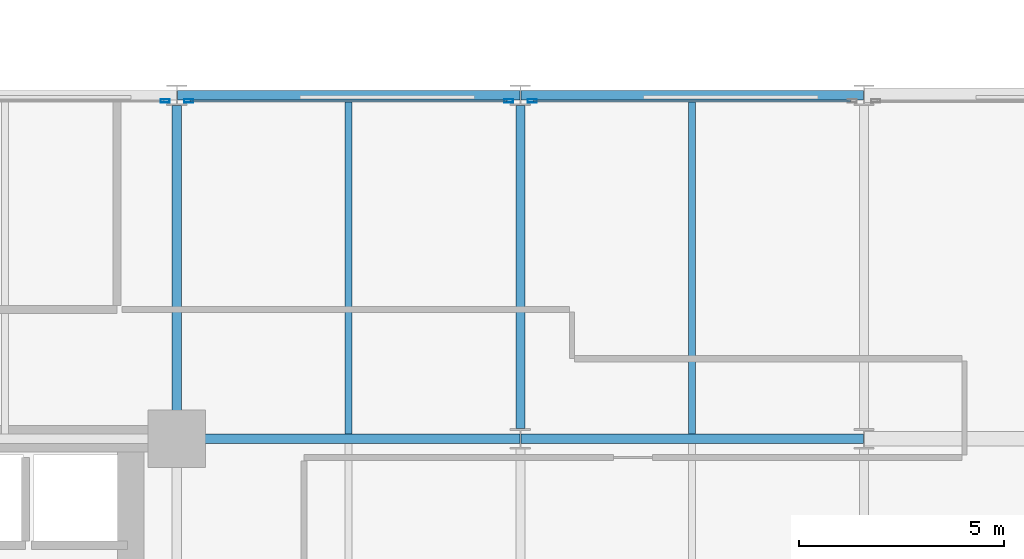
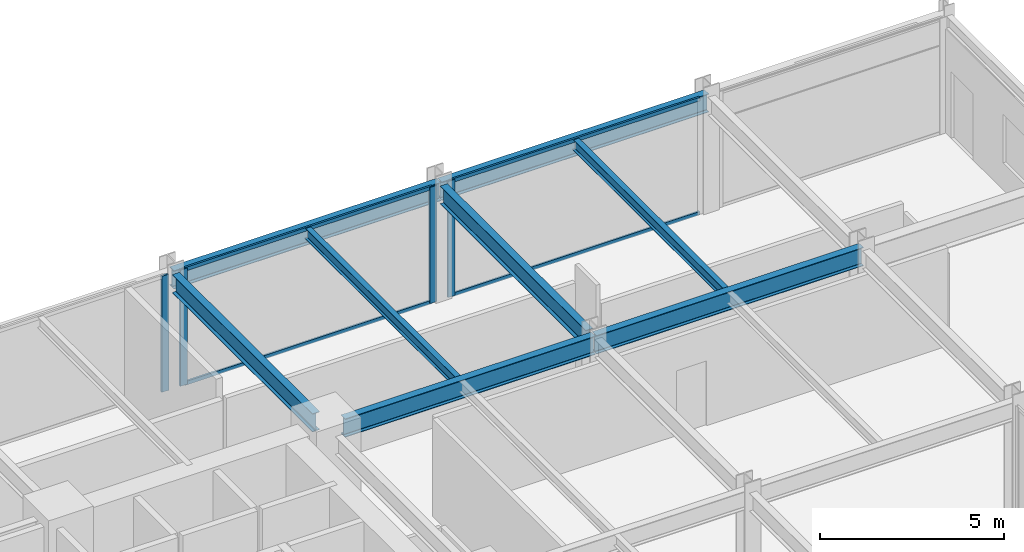
# One storey, part 14 of 26: 8 beams, 8 members, 3 elements without a shape of their own.
"""IFC4 building model written with IfcOpenShell, lengths in metres."""

from ifc_helpers import new_model, si_unit, direction, frame, origin, origin_2d, place, context, subcontext, project, spatial, hollow_rectangle, i_section, extrude, material, layer, layer_set, material_profile, profile_set, type_object, element, aggregate, save


model = new_model("IFC4")

# Units and contexts
model_context = context("Model", 3, precision=1e-05, world=origin(), true_north=direction((0.0, 1.0)))
body_context = subcontext(model_context, "Body", "Model", "MODEL_VIEW")
ifc_project = project(units=[si_unit("LENGTHUNIT", "METRE"), si_unit("AREAUNIT", "SQUARE_METRE"), si_unit("VOLUMEUNIT", "CUBIC_METRE"), si_unit("PLANEANGLEUNIT", "RADIAN"), si_unit("MASSUNIT", "GRAM", prefix="KILO")], contexts=[model_context])

# Site, building, storey
site_placement = place(None, origin())
site = spatial("IfcSite", under=ifc_project, at=site_placement, CompositionType="ELEMENT")
building_placement = place(site_placement, origin())
building = spatial("IfcBuilding", under=site, at=building_placement, Name="Nerrivon Quay Data Exchange", CompositionType="ELEMENT")
storey_placement = place(building_placement, frame((0.0, 0.0, 75.199951171875)))
storey = spatial("IfcBuildingStorey", under=building, at=storey_placement, Name="L17", CompositionType="ELEMENT", Elevation=75.199951171875)

# Beams
ifc_material_1 = material(Name="Steel Grade 350", Category="steel")
ifc_material_profile_1 = material_profile(ifc_material_1, i_section(OverallWidth=0.22900390625, OverallDepth=0.612060546875, WebThickness=0.011962890625, FlangeThickness=0.01953125, FilletRadius=0.013916015625, at=origin_2d()), Name="610UB125")
ifc_profile_set_1 = profile_set([ifc_material_profile_1], Name="Steel Grade 350")
beam_type_1 = type_object("IfcBeamType", Name="BM-G1-610UB125", PredefinedType="BEAM", material=ifc_profile_set_1)
beam_1_placement = place(storey_placement, frame((34.139892578125, 16.800048828125, 3.5439453125), z_axis=(1.0, 0.0, 0.0), x_axis=(0.0, 1.0, 0.0)))
element("IfcBeam", 1, at=beam_1_placement, inside=storey, type_object=beam_type_1, Name="L17 EW Girder Y=16.8 (33.6..42.0)", PredefinedType="BEAM", context=body_context, shape_type="SweptSolid", body=[
    extrude(i_section(OverallWidth=0.22900390625, OverallDepth=0.612060546875, WebThickness=0.011962890625, FlangeThickness=0.01953125, FilletRadius=0.013916015625, at=origin_2d()), origin(), (0.0, 0.0, 1.0), 7.84619140625),
])
for number, where, z_axis, x_axis, name in (
    (2, (42.013916015625, 16.800048828125, 3.5439453125), (1.0, 0.0, 0.0), (0.0, 1.0, 0.0), "L17 EW Girder Y=16.8 (42.0..50.4)"),
    (3, (33.614013671875, 25.199951171875, 3.5439453125), (1.0, 0.0, 0.0), (0.0, 1.0, 0.0), "L17 EW Girder Y=25.2 (33.6..42.0)"),
    (4, (42.013916015625, 25.199951171875, 3.5439453125), (1.0, 0.0, 0.0), (0.0, 1.0, 0.0), "L17 EW Girder Y=25.2 (42.0..50.4)"),
):
    element("IfcBeam", number, at=place(storey_placement, frame(where, z_axis=z_axis, x_axis=x_axis)), inside=storey, type_object=beam_type_1, Name=name, PredefinedType="BEAM", context=body_context, shape_type="SweptSolid", body=[
        extrude(i_section(OverallWidth=0.22900390625, OverallDepth=0.612060546875, WebThickness=0.011962890625, FlangeThickness=0.01953125, FilletRadius=0.013916015625, at=origin_2d()), origin(), (0.0, 0.0, 1.0), 8.3720703125),
    ])
ifc_material_profile_2 = material_profile(ifc_material_1, i_section(OverallWidth=0.22802734375, OverallDepth=0.60205078125, WebThickness=0.010498046875, FlangeThickness=0.014892578125, FilletRadius=0.013916015625, at=origin_2d()), Name="610UB101")
ifc_profile_set_2 = profile_set([ifc_material_profile_2], Name="Steel Grade 350")
beam_type_2 = type_object("IfcBeamType", Name="BM-G2-610UB101", PredefinedType="BEAM", material=ifc_profile_set_2)
beam_2_placement = place(storey_placement, frame((33.60009765625, 17.340087890625, 3.549072265625), z_axis=(0.0, 1.0, 0.0), x_axis=(-1.0, 0.0, 0.0)))
element("IfcBeam", 5, at=beam_2_placement, inside=storey, type_object=beam_type_2, Name="L17 NS Girder X=33.6 (16.8..25.2)", PredefinedType="BEAM", context=body_context, shape_type="SweptSolid", body=[
    extrude(i_section(OverallWidth=0.22802734375, OverallDepth=0.60205078125, WebThickness=0.010498046875, FlangeThickness=0.014892578125, FilletRadius=0.013916015625, at=origin_2d()), origin(), (0.0, 0.0, 1.0), 7.60986328125),
])
beam_3_placement = place(storey_placement, frame((42.0, 17.050048828125, 3.549072265625), z_axis=(0.0, 1.0, 0.0), x_axis=(-1.0, 0.0, 0.0)))
element("IfcBeam", 6, at=beam_3_placement, inside=storey, type_object=beam_type_2, Name="L17 NS Girder X=42.0 (16.8..25.2)", PredefinedType="BEAM", context=body_context, shape_type="SweptSolid", body=[
    extrude(i_section(OverallWidth=0.22802734375, OverallDepth=0.60205078125, WebThickness=0.010498046875, FlangeThickness=0.014892578125, FilletRadius=0.013916015625, at=origin_2d()), origin(), (0.0, 0.0, 1.0), 7.89990234375),
])
ifc_material_profile_3 = material_profile(ifc_material_1, i_section(OverallWidth=0.172119140625, OverallDepth=0.35888671875, WebThickness=0.008056640625, FlangeThickness=0.012939453125, FilletRadius=0.011474609375, at=origin_2d()), Name="360UB56.7")
ifc_profile_set_3 = profile_set([ifc_material_profile_3], Name="Steel Grade 350")
beam_type_3 = type_object("IfcBeamType", Name="BM-J3-360UB57", PredefinedType="JOIST", material=ifc_profile_set_3)
for number, where, z_axis, x_axis, name in (
    (7, (37.800048828125, 16.91455078125, 3.670654296875), (0.0, 1.0, 0.0), (-1.0, 0.0, 0.0), "L17 Secondary Joist X=37.8 (16.8..25.2)"),
    (8, (46.199951171875, 16.91455078125, 3.670654296875), (0.0, 1.0, 0.0), (-1.0, 0.0, 0.0), "L17 Secondary Joist X=46.2 (16.8..25.2)"),
):
    element("IfcBeam", number, at=place(storey_placement, frame(where, z_axis=z_axis, x_axis=x_axis)), inside=storey, type_object=beam_type_3, Name=name, PredefinedType="JOIST", context=body_context, shape_type="SweptSolid", body=[
        extrude(i_section(OverallWidth=0.172119140625, OverallDepth=0.35888671875, WebThickness=0.008056640625, FlangeThickness=0.012939453125, FilletRadius=0.011474609375, at=origin_2d()), origin(), (0.0, 0.0, 1.0), 8.1708984375),
    ])

# Curtain wall, member
ifc_material_2 = material(Name="Anodised aluminium 6063-T6", Category="aluminium")
ifc_layer = layer(ifc_material_2, 0.219970703125)
ifc_layer_set = layer_set([ifc_layer], Name="Anodised aluminium 6063-T6")
curtain_wall_type = type_object("IfcCurtainWallType", Name="CW-SYS-01", PredefinedType="NOTDEFINED", material=ifc_layer_set)
curtain_wall_1_placement = place(storey_placement, origin())
curtain_wall_1 = element("IfcCurtainWall", 9, at=curtain_wall_1_placement, inside=storey, type_object=curtain_wall_type, Name="L17 Unitised Curtain Wall 32", PredefinedType="NOTDEFINED")
ifc_material_profile_4 = material_profile(ifc_material_2, hollow_rectangle(XDim=0.074951171875, YDim=0.219970703125, WallThickness=0.00390625, at=origin_2d()), Name="ALU-MULL-220x75")
ifc_profile_set_4 = profile_set([ifc_material_profile_4], Name="Anodised aluminium 6063-T6")
member_type_1 = type_object("IfcMemberType", Name="CWM-220x75", PredefinedType="MULLION", material=ifc_profile_set_4)
member_1_placement = place(storey_placement, frame((33.3125, 25.06005859375, 0.0), z_axis=(0.0, 0.0, 1.0), x_axis=(0.0, 1.0, 0.0)))
member_1 = element("IfcMember", 10, at=member_1_placement, type_object=member_type_1, Name="CW01 mullion 2", PredefinedType="MULLION", context=body_context, shape_type="SweptSolid", body=[
    extrude(hollow_rectangle(XDim=0.074951171875, YDim=0.219970703125, WallThickness=0.00390625, at=origin_2d()), origin(), (0.0, 0.0, 1.0), 3.85009765625),
])
aggregate(curtain_wall_1, [member_1])

# Curtain wall, members
curtain_wall_2_placement = place(storey_placement, origin())
curtain_wall_2 = element("IfcCurtainWall", 11, at=curtain_wall_2_placement, inside=storey, type_object=curtain_wall_type, Name="L17 Unitised Curtain Wall 33", PredefinedType="NOTDEFINED")
member_2_placement = place(storey_placement, frame((33.887451171875, 25.06005859375, 0.0), z_axis=(0.0, 0.0, 1.0), x_axis=(0.0, 1.0, 0.0)))
member_2 = element("IfcMember", 12, at=member_2_placement, type_object=member_type_1, Name="CW01 mullion 1", PredefinedType="MULLION", context=body_context, shape_type="SweptSolid", body=[
    extrude(hollow_rectangle(XDim=0.074951171875, YDim=0.219970703125, WallThickness=0.00390625, at=origin_2d()), origin(), (0.0, 0.0, 1.0), 3.85009765625),
])
member_3_placement = place(storey_placement, frame((41.71240234375, 25.06005859375, 0.0), z_axis=(0.0, 0.0, 1.0), x_axis=(0.0, 1.0, 0.0)))
member_3 = element("IfcMember", 13, at=member_3_placement, type_object=member_type_1, Name="CW01 mullion 2", PredefinedType="MULLION", context=body_context, shape_type="SweptSolid", body=[
    extrude(hollow_rectangle(XDim=0.074951171875, YDim=0.219970703125, WallThickness=0.00390625, at=origin_2d()), origin(), (0.0, 0.0, 1.0), 3.85009765625),
])

# Curtain wall, member
curtain_wall_3_placement = place(storey_placement, origin())
curtain_wall_3 = element("IfcCurtainWall", 14, at=curtain_wall_3_placement, inside=storey, type_object=curtain_wall_type, Name="L17 Unitised Curtain Wall 34", PredefinedType="NOTDEFINED")
member_4_placement = place(storey_placement, frame((42.28759765625, 25.06005859375, 0.0), z_axis=(0.0, 0.0, 1.0), x_axis=(0.0, 1.0, 0.0)))
member_4 = element("IfcMember", 15, at=member_4_placement, type_object=member_type_1, Name="CW01 mullion 1", PredefinedType="MULLION", context=body_context, shape_type="SweptSolid", body=[
    extrude(hollow_rectangle(XDim=0.074951171875, YDim=0.219970703125, WallThickness=0.00390625, at=origin_2d()), origin(), (0.0, 0.0, 1.0), 3.85009765625),
])

# Member
ifc_material_profile_5 = material_profile(ifc_material_2, hollow_rectangle(XDim=0.06005859375, YDim=0.1201171875, WallThickness=0.003173828125, at=origin_2d()), Name="ALU-TRAN-120x60")
ifc_profile_set_5 = profile_set([ifc_material_profile_5], Name="Anodised aluminium 6063-T6")
member_type_2 = type_object("IfcMemberType", Name="CWT-120x60", PredefinedType="USERDEFINED", material=ifc_profile_set_5)
member_5_placement = place(storey_placement, frame((33.925048828125, 25.06005859375, 0.032470703125), z_axis=(1.0, 0.0, 0.0), x_axis=(0.0, 1.0, 0.0)))
member_5 = element("IfcMember", 16, at=member_5_placement, type_object=member_type_2, Name="CW01 transom 1.1", ObjectType="TRANSOM", PredefinedType="USERDEFINED", context=body_context, shape_type="SweptSolid", body=[
    extrude(hollow_rectangle(XDim=0.06005859375, YDim=0.1201171875, WallThickness=0.003173828125, at=origin_2d()), origin(), (0.0, 0.0, 1.0), 7.75),
])

member_6_placement = place(storey_placement, frame((33.925048828125, 25.06005859375, 3.817626953125), z_axis=(1.0, 0.0, 0.0), x_axis=(0.0, 1.0, 0.0)))
member_6 = element("IfcMember", 17, at=member_6_placement, type_object=member_type_2, Name="CW01 transom 1.2", ObjectType="TRANSOM", PredefinedType="USERDEFINED", context=body_context, shape_type="SweptSolid", body=[
    extrude(hollow_rectangle(XDim=0.06005859375, YDim=0.1201171875, WallThickness=0.003173828125, at=origin_2d()), origin(), (0.0, 0.0, 1.0), 7.75),
])

aggregate(curtain_wall_2, [member_2, member_3, member_5, member_6])

member_7_placement = place(storey_placement, frame((42.324951171875, 25.06005859375, 0.032470703125), z_axis=(1.0, 0.0, 0.0), x_axis=(0.0, 1.0, 0.0)))
member_7 = element("IfcMember", 18, at=member_7_placement, type_object=member_type_2, Name="CW01 transom 1.1", ObjectType="TRANSOM", PredefinedType="USERDEFINED", context=body_context, shape_type="SweptSolid", body=[
    extrude(hollow_rectangle(XDim=0.06005859375, YDim=0.1201171875, WallThickness=0.003173828125, at=origin_2d()), origin(), (0.0, 0.0, 1.0), 7.75),
])

member_8_placement = place(storey_placement, frame((42.324951171875, 25.06005859375, 3.817626953125), z_axis=(1.0, 0.0, 0.0), x_axis=(0.0, 1.0, 0.0)))
member_8 = element("IfcMember", 19, at=member_8_placement, type_object=member_type_2, Name="CW01 transom 1.2", ObjectType="TRANSOM", PredefinedType="USERDEFINED", context=body_context, shape_type="SweptSolid", body=[
    extrude(hollow_rectangle(XDim=0.06005859375, YDim=0.1201171875, WallThickness=0.003173828125, at=origin_2d()), origin(), (0.0, 0.0, 1.0), 7.75),
])

aggregate(curtain_wall_3, [member_4, member_7, member_8])

save(model, "model.ifc")
